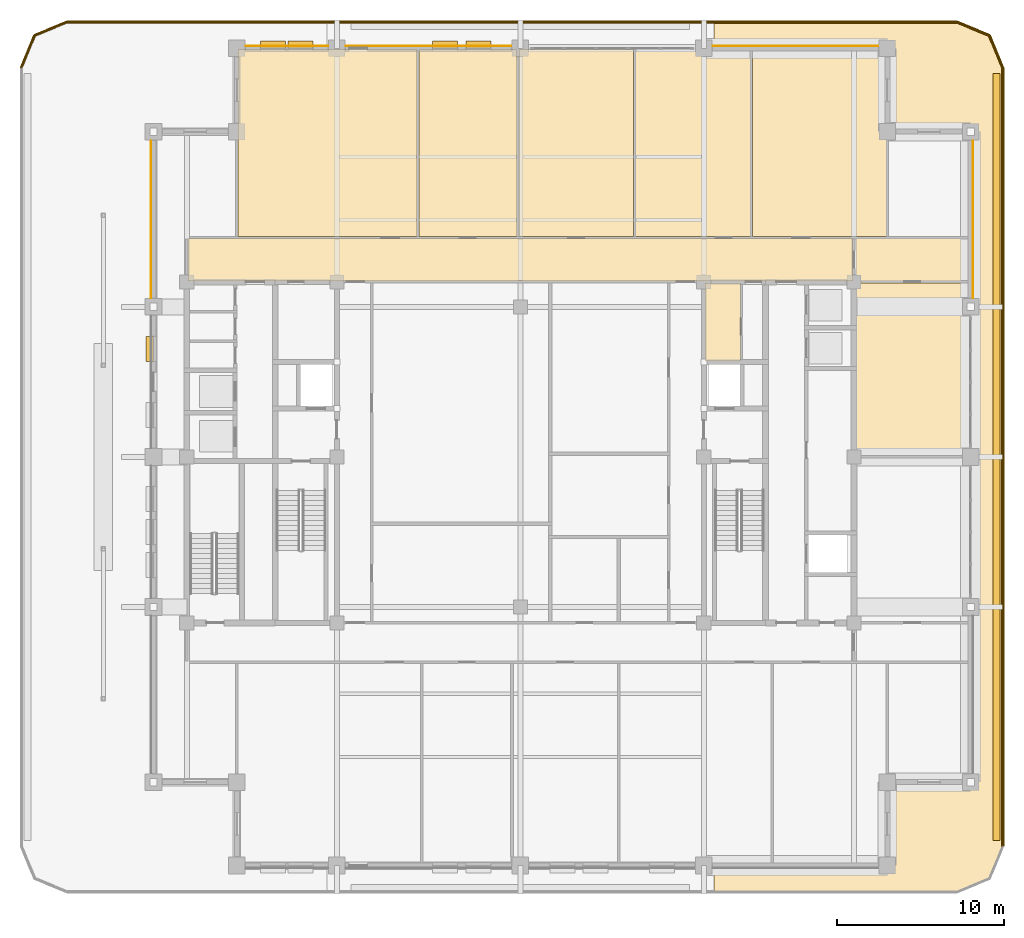
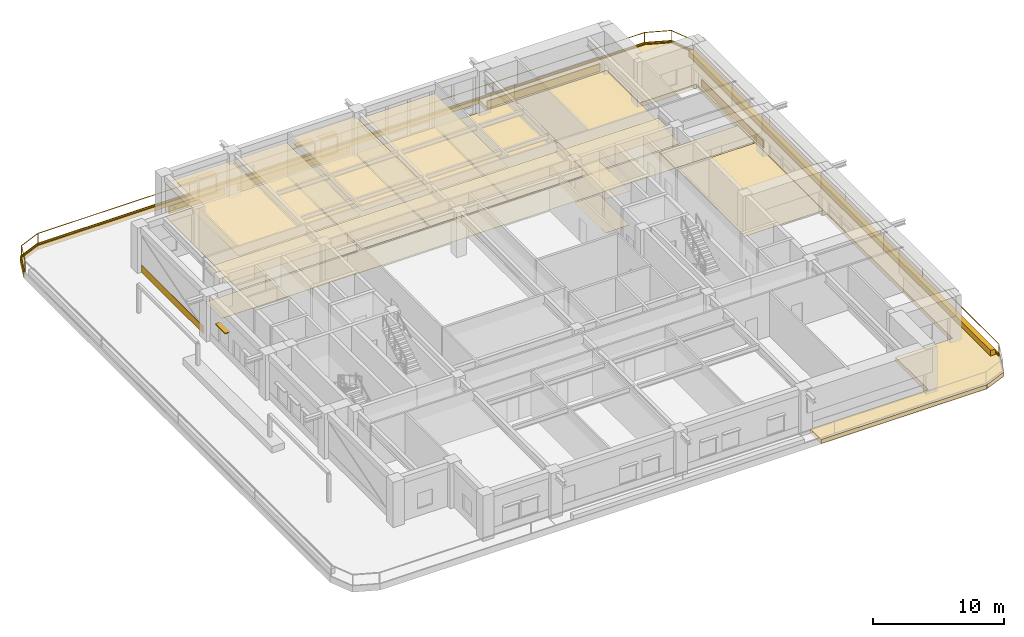
# One storey, part 19 of 20: 27 coverings, 5 shading devices, 2 railings.
"""IFC4 building model written with IfcOpenShell, lengths in metres."""

from ifc_helpers import new_model, si_unit, direction, frame, frame_2d, origin, origin_2d, place, context, subcontext, project, spatial, polyline, rectangle, outline, extrude, material, layer, layer_set, type_object, element, save


model = new_model("IFC4")

# Units and contexts
model_context = context("Model", 3, precision=1e-05, world=origin(), true_north=direction((0.0, 1.0)))
body_context = subcontext(model_context, "Body", "Model", "MODEL_VIEW")
ifc_project = project(units=[si_unit("LENGTHUNIT", "METRE"), si_unit("AREAUNIT", "SQUARE_METRE"), si_unit("VOLUMEUNIT", "CUBIC_METRE"), si_unit("PLANEANGLEUNIT", "RADIAN"), si_unit("MASSUNIT", "GRAM", prefix="KILO")], contexts=[model_context])

# Site, building, storey
site_placement = place(None, origin())
site = spatial("IfcSite", under=ifc_project, at=site_placement, CompositionType="ELEMENT")
building_placement = place(site_placement, origin())
building = spatial("IfcBuilding", under=site, at=building_placement, Name="Zulmaris Gate Convention Tower", CompositionType="ELEMENT")
storey_placement = place(building_placement, frame((0.0, 0.0, 158.23974609375)))
storey = spatial("IfcBuildingStorey", under=building, at=storey_placement, Name="L40", CompositionType="ELEMENT", Elevation=158.23974609375)

# Coverings
ifc_material_1 = material(Name="Precast concrete C40/50", Category="concrete")
ifc_layer_1 = layer(ifc_material_1, 0.0400390625, Name="Precast concrete C40/50")
ifc_layer_set_1 = layer_set([ifc_layer_1], Name="Precast concrete C40/50")
covering_type_1 = type_object("IfcCoveringType", Name="CLAD-SPANDREL-PRECAST", PredefinedType="CLADDING", material=ifc_layer_set_1)
covering_1_placement = place(storey_placement, frame((-11.530029296875, 24.64990234375, 0.0), z_axis=(0.0, 0.0, 1.0), x_axis=(-1.0, 0.0, 0.0)))
element("IfcCovering", 1, at=covering_1_placement, inside=storey, type_object=covering_type_1, Name="CLD-L40-N-0_0", PredefinedType="CLADDING", context=body_context, shape_type="SweptSolid", body=[
    extrude(rectangle(XDim=4.93994140625, YDim=0.0400390625, at=frame_2d((2.469970703125, 0.0))), origin(), (0.0, 0.0, 1.0), 0.679931640625),
])
for number, where, z_axis, x_axis, name in (
    (2, (-0.530029296875, 24.64990234375, 0.0), (0.0, 0.0, 1.0), (-1.0, 0.0, 0.0), "CLD-L40-N-1_0"),
    (3, (21.469970703125, 24.64990234375, 0.0), (0.0, 0.0, 1.0), (-1.0, 0.0, 0.0), "CLD-L40-N-3_0"),
):
    element("IfcCovering", number, at=place(storey_placement, frame(where, z_axis=z_axis, x_axis=x_axis)), inside=storey, type_object=covering_type_1, Name=name, PredefinedType="CLADDING", context=body_context, shape_type="SweptSolid", body=[
        extrude(rectangle(XDim=9.93994140625, YDim=0.0400390625, at=frame_2d((4.969970703125, 0.0))), origin(), (0.0, 0.0, 1.0), 0.679931640625),
    ])
for number, where, z_axis, x_axis, name in (
    (4, (27.14990234375, 9.530029296875, 0.0), (0.0, 0.0, 1.0), (0.0, 1.0, 0.0), "CLD-L40-E-3_0"),
    (5, (-22.14990234375, 18.969970703125, 0.0), (0.0, 0.0, 1.0), (0.0, -1.0, 0.0), "CLD-L40-W-3_0"),
):
    element("IfcCovering", number, at=place(storey_placement, frame(where, z_axis=z_axis, x_axis=x_axis)), inside=storey, type_object=covering_type_1, Name=name, PredefinedType="CLADDING", context=body_context, shape_type="SweptSolid", body=[
        extrude(rectangle(XDim=9.43994140625, YDim=0.0400390625, at=frame_2d((4.719970703125, 0.0))), origin(), (0.0, 0.0, 1.0), 0.679931640625),
    ])
ifc_material_2 = material(Name="White Glazed Architectural Precast Concrete C40/50", Category="concrete")
ifc_layer_2 = layer(ifc_material_2, 0.239990234375, Name="White Glazed Architectural Precast Concrete C40/50")
ifc_layer_set_2 = layer_set([ifc_layer_2], Name="White Glazed Architectural Precast Concrete C40/50")
covering_type_2 = type_object("IfcCoveringType", Name="CLAD-TRAY-DECK", PredefinedType="CLADDING", material=ifc_layer_set_2)
covering_2_placement = place(storey_placement, frame((0.0, 0.0, -0.425048828125)))
element("IfcCovering", 6, at=covering_2_placement, inside=storey, type_object=covering_type_2, Name="L40 East Rounded-Fascia Planter Tray Deck", PredefinedType="CLADDING", context=body_context, shape_type="SweptSolid", body=[
    extrude(outline(polyline([(26.199951171875, 26.14990234375), (28.179931640625, 25.329833984375), (29.0, 23.35009765625), (29.0, -23.35009765625), (28.179931640625, -25.329833984375), (26.199951171875, -26.14990234375), (11.60205078125, -26.14990234375), (11.60205078125, -24.5), (22.0, -24.5), (22.0, -19.5), (27.0, -19.5), (27.0, 19.5), (22.0, 19.5), (22.0, 24.5), (11.60205078125, 24.5), (11.60205078125, 26.14990234375), (26.199951171875, 26.14990234375)])), origin(), (0.0, 0.0, 1.0), 0.385009765625),
])
ifc_layer_3 = layer(ifc_material_2, 0.080078125, Name="White Glazed Architectural Precast Concrete C40/50")
ifc_layer_set_3 = layer_set([ifc_layer_3], Name="White Glazed Architectural Precast Concrete C40/50")
covering_type_3 = type_object("IfcCoveringType", Name="CLAD-TRAY-FASCIA", PredefinedType="CLADDING", material=ifc_layer_set_3)
covering_3_placement = place(storey_placement, frame((28.9599609375, -23.35009765625, -0.465087890625), z_axis=(0.0, 0.0, 1.0), x_axis=(0.0, 1.0, 0.0)))
element("IfcCovering", 7, at=covering_3_placement, inside=storey, type_object=covering_type_3, Name="FSC-L40-TR-05", PredefinedType="CLADDING", context=body_context, shape_type="SweptSolid", body=[
    extrude(rectangle(XDim=46.7001953125, YDim=0.080078125, at=frame_2d((23.35009765625, 0.0))), origin(), (0.0, 0.0, 1.0), 0.5849609375),
])
covering_4_placement = place(storey_placement, frame((28.962890625, 23.334716796875, -0.465087890625), z_axis=(0.0, 0.0, 1.0), x_axis=(-0.382656984709, 0.923890487046, 0.0)))
element("IfcCovering", 8, at=covering_4_placement, inside=storey, type_object=covering_type_3, Name="FSC-L40-TR-06", PredefinedType="CLADDING", context=body_context, shape_type="SweptSolid", body=[
    extrude(rectangle(XDim=2.14306640625, YDim=0.080078125, at=frame_2d((1.071533203125, 0.0))), origin(), (0.0, 0.0, 1.0), 0.5849609375),
])
covering_5_placement = place(storey_placement, frame((28.16455078125, 25.29296875, -0.465087890625), z_axis=(0.0, 0.0, 1.0), x_axis=(-0.923873803533, 0.382697263049, 0.0)))
element("IfcCovering", 9, at=covering_5_placement, inside=storey, type_object=covering_type_3, Name="FSC-L40-TR-07", PredefinedType="CLADDING", context=body_context, shape_type="SweptSolid", body=[
    extrude(rectangle(XDim=2.142822265625, YDim=0.080078125, at=frame_2d((1.0712890625, 0.0))), origin(), (0.0, 0.0, 1.0), 0.5849609375),
])
covering_6_placement = place(storey_placement, frame((26.199951171875, 26.110107421875, -0.465087890625), z_axis=(0.0, 0.0, 1.0), x_axis=(-1.0, 0.0, 0.0)))
element("IfcCovering", 10, at=covering_6_placement, inside=storey, type_object=covering_type_3, Name="FSC-L40-TR-08", PredefinedType="CLADDING", context=body_context, shape_type="SweptSolid", body=[
    extrude(rectangle(XDim=53.39990234375, YDim=0.080078125, at=frame_2d((26.699951171875, 0.0))), origin(), (0.0, 0.0, 1.0), 0.5849609375),
])
covering_7_placement = place(storey_placement, frame((-27.184814453125, 26.113037109375, -0.465087890625), z_axis=(0.0, 0.0, 1.0), x_axis=(-0.923873803533, -0.382697263049, 0.0)))
element("IfcCovering", 11, at=covering_7_placement, inside=storey, type_object=covering_type_3, Name="FSC-L40-TR-09", PredefinedType="CLADDING", context=body_context, shape_type="SweptSolid", body=[
    extrude(rectangle(XDim=2.142822265625, YDim=0.080078125, at=frame_2d((1.0712890625, 0.0))), origin(), (0.0, 0.0, 1.0), 0.5849609375),
])
covering_8_placement = place(storey_placement, frame((-29.142822265625, 25.314697265625, -0.465087890625), z_axis=(0.0, 0.0, 1.0), x_axis=(-0.382656984709, -0.923890487046, 0.0)))
element("IfcCovering", 12, at=covering_8_placement, inside=storey, type_object=covering_type_3, Name="FSC-L40-TR-10", PredefinedType="CLADDING", context=body_context, shape_type="SweptSolid", body=[
    extrude(rectangle(XDim=2.14306640625, YDim=0.080078125, at=frame_2d((1.071533203125, 0.0))), origin(), (0.0, 0.0, 1.0), 0.5849609375),
])
ifc_material_3 = material(Name="Mineral Fibre Acoustic Ceiling Tile")
ifc_layer_4 = layer(ifc_material_3, 0.02001953125, Name="Mineral Fibre Acoustic Ceiling Tile")
ifc_layer_set_4 = layer_set([ifc_layer_4], Name="Mineral Fibre Acoustic Ceiling Tile")
covering_type_4 = type_object("IfcCoveringType", Name="CLG-ACOUSTIC-600", PredefinedType="CEILING", material=ifc_layer_set_4)
covering_9_placement = place(storey_placement, frame((0.0, 0.0, 3.153076171875)))
element("IfcCovering", 13, at=covering_9_placement, inside=storey, type_object=covering_type_4, Name="CLG-L40-R12", PredefinedType="CEILING", context=body_context, shape_type="SweptSolid", body=[
    extrude(outline(polyline([(11.06005859375, 5.760009765625), (13.18994140625, 5.760009765625), (13.18994140625, 10.43994140625), (11.06005859375, 10.43994140625), (11.06005859375, 5.760009765625)])), origin(), (0.0, 0.0, 1.0), 0.02001953125),
])
covering_10_placement = place(storey_placement, frame((0.0, 0.0, 3.153076171875)))
element("IfcCovering", 14, at=covering_10_placement, inside=storey, type_object=covering_type_4, Name="CLG-L40-R31", PredefinedType="CEILING", context=body_context, shape_type="SweptSolid", body=[
    extrude(outline(polyline([(-19.93994140625, 10.56005859375), (19.93994140625, 10.56005859375), (19.93994140625, 13.090087890625), (-19.93994140625, 13.090087890625), (-19.93994140625, 10.56005859375)])), origin(), (0.0, 0.0, 1.0), 0.02001953125),
])
covering_11_placement = place(storey_placement, frame((0.0, 0.0, 3.153076171875)))
element("IfcCovering", 15, at=covering_11_placement, inside=storey, type_object=covering_type_4, Name="CLG-L40-R35", PredefinedType="CEILING", context=body_context, shape_type="SweptSolid", body=[
    extrude(outline(polyline([(-16.93994140625, 13.2099609375), (-6.2099609375, 13.2099609375), (-6.2099609375, 24.43994140625), (-16.93994140625, 24.43994140625), (-16.93994140625, 13.2099609375)])), origin(), (0.0, 0.0, 1.0), 0.02001953125),
])
covering_12_placement = place(storey_placement, frame((0.0, 0.0, 3.5302734375)))
element("IfcCovering", 16, at=covering_12_placement, inside=storey, type_object=covering_type_4, Name="CLG-L40-R36", PredefinedType="CEILING", context=body_context, shape_type="SweptSolid", body=[
    extrude(outline(polyline([(-6.090087890625, 13.2099609375), (-0.2099609375, 13.2099609375), (-0.2099609375, 24.43994140625), (-6.090087890625, 24.43994140625), (-6.090087890625, 13.2099609375)])), origin(), (0.0, 0.0, 1.0), 0.019775390625),
])
covering_13_placement = place(storey_placement, frame((0.0, 0.0, 3.153076171875)))
element("IfcCovering", 17, at=covering_13_placement, inside=storey, type_object=covering_type_4, Name="CLG-L40-R37", PredefinedType="CEILING", context=body_context, shape_type="SweptSolid", body=[
    extrude(outline(polyline([(-0.090087890625, 13.2099609375), (6.7900390625, 13.2099609375), (6.7900390625, 24.43994140625), (-0.090087890625, 24.43994140625), (-0.090087890625, 13.2099609375)])), origin(), (0.0, 0.0, 1.0), 0.02001953125),
])
ifc_material_4 = material(Name="Woven Acoustic Wool Carpet Tile")
ifc_layer_5 = layer(ifc_material_4, 0.02001953125, Name="Woven Acoustic Wool Carpet Tile")
ifc_layer_set_5 = layer_set([ifc_layer_5], Name="Woven Acoustic Wool Carpet Tile")
covering_type_5 = type_object("IfcCoveringType", Name="FLR-CARPET-12", PredefinedType="FLOORING", material=ifc_layer_set_5)
covering_14_placement = place(storey_placement, origin())
element("IfcCovering", 18, at=covering_14_placement, inside=storey, type_object=covering_type_5, Name="FLR-L40-R12", PredefinedType="FLOORING", context=body_context, shape_type="SweptSolid", body=[
    extrude(outline(polyline([(11.06005859375, 5.760009765625), (13.18994140625, 5.760009765625), (13.18994140625, 10.43994140625), (11.06005859375, 10.43994140625), (11.06005859375, 5.760009765625)])), origin(), (0.0, 0.0, 1.0), 0.02001953125),
])
covering_15_placement = place(storey_placement, origin())
element("IfcCovering", 19, at=covering_15_placement, inside=storey, type_object=covering_type_5, Name="FLR-L40-R31", PredefinedType="FLOORING", context=body_context, shape_type="SweptSolid", body=[
    extrude(outline(polyline([(-19.93994140625, 10.56005859375), (19.93994140625, 10.56005859375), (19.93994140625, 13.090087890625), (-19.93994140625, 13.090087890625), (-19.93994140625, 10.56005859375)])), origin(), (0.0, 0.0, 1.0), 0.02001953125),
])
covering_16_placement = place(storey_placement, origin())
element("IfcCovering", 20, at=covering_16_placement, inside=storey, type_object=covering_type_5, Name="FLR-L40-R36", PredefinedType="FLOORING", context=body_context, shape_type="SweptSolid", body=[
    extrude(outline(polyline([(-6.090087890625, 13.2099609375), (-0.2099609375, 13.2099609375), (-0.2099609375, 24.43994140625), (-6.090087890625, 24.43994140625), (-6.090087890625, 13.2099609375)])), origin(), (0.0, 0.0, 1.0), 0.02001953125),
])
covering_17_placement = place(storey_placement, origin())
element("IfcCovering", 21, at=covering_17_placement, inside=storey, type_object=covering_type_5, Name="FLR-L40-R38", PredefinedType="FLOORING", context=body_context, shape_type="SweptSolid", body=[
    extrude(outline(polyline([(6.909912109375, 13.2099609375), (13.7900390625, 13.2099609375), (13.7900390625, 24.43994140625), (6.909912109375, 24.43994140625), (6.909912109375, 13.2099609375)])), origin(), (0.0, 0.0, 1.0), 0.02001953125),
])
covering_18_placement = place(storey_placement, origin())
element("IfcCovering", 22, at=covering_18_placement, inside=storey, type_object=covering_type_5, Name="FLR-L40-R51", PredefinedType="FLOORING", context=body_context, shape_type="SweptSolid", body=[
    extrude(outline(polyline([(20.06005859375, 10.56005859375), (26.93994140625, 10.56005859375), (26.93994140625, 13.090087890625), (20.06005859375, 13.090087890625), (20.06005859375, 10.56005859375)])), origin(), (0.0, 0.0, 1.0), 0.02001953125),
])
covering_19_placement = place(storey_placement, origin())
element("IfcCovering", 23, at=covering_19_placement, inside=storey, type_object=covering_type_5, Name="FLR-L40-R53", PredefinedType="FLOORING", context=body_context, shape_type="SweptSolid", body=[
    extrude(outline(polyline([(20.06005859375, 0.06005859375), (26.93994140625, 0.06005859375), (26.93994140625, 10.43994140625), (20.06005859375, 10.43994140625), (20.06005859375, 0.06005859375)])), origin(), (0.0, 0.0, 1.0), 0.02001953125),
])
ifc_material_5 = material(Name="Polished Granite Terrazzo Tile", Category="masonry")
ifc_layer_6 = layer(ifc_material_5, 0.02001953125, Name="Polished Granite Terrazzo Tile")
ifc_layer_set_6 = layer_set([ifc_layer_6], Name="Polished Granite Terrazzo Tile")
covering_type_6 = type_object("IfcCoveringType", Name="FLR-TERRAZZO-30", PredefinedType="FLOORING", material=ifc_layer_set_6)
covering_20_placement = place(storey_placement, origin())
element("IfcCovering", 24, at=covering_20_placement, inside=storey, type_object=covering_type_6, Name="FLR-L40-R35", PredefinedType="FLOORING", context=body_context, shape_type="SweptSolid", body=[
    extrude(outline(polyline([(-16.93994140625, 13.2099609375), (-6.2099609375, 13.2099609375), (-6.2099609375, 24.43994140625), (-16.93994140625, 24.43994140625), (-16.93994140625, 13.2099609375)])), origin(), (0.0, 0.0, 1.0), 0.02001953125),
])
covering_21_placement = place(storey_placement, origin())
element("IfcCovering", 25, at=covering_21_placement, inside=storey, type_object=covering_type_6, Name="FLR-L40-R39", PredefinedType="FLOORING", context=body_context, shape_type="SweptSolid", body=[
    extrude(outline(polyline([(13.909912109375, 13.2099609375), (21.93994140625, 13.2099609375), (21.93994140625, 24.43994140625), (13.909912109375, 24.43994140625), (13.909912109375, 13.2099609375)])), origin(), (0.0, 0.0, 1.0), 0.02001953125),
])
ifc_material_6 = material(Name="Engineered Teak Parquet Flooring")
ifc_layer_7 = layer(ifc_material_6, 0.02001953125, Name="Engineered Teak Parquet Flooring")
ifc_layer_set_7 = layer_set([ifc_layer_7], Name="Engineered Teak Parquet Flooring")
covering_type_7 = type_object("IfcCoveringType", Name="FLR-TIMBER-18", PredefinedType="FLOORING", material=ifc_layer_set_7)
covering_22_placement = place(storey_placement, origin())
element("IfcCovering", 26, at=covering_22_placement, inside=storey, type_object=covering_type_7, Name="FLR-L40-R37", PredefinedType="FLOORING", context=body_context, shape_type="SweptSolid", body=[
    extrude(outline(polyline([(-0.090087890625, 13.2099609375), (6.7900390625, 13.2099609375), (6.7900390625, 24.43994140625), (-0.090087890625, 24.43994140625), (-0.090087890625, 13.2099609375)])), origin(), (0.0, 0.0, 1.0), 0.02001953125),
])
ifc_material_7 = material(Name="Botanical Green Glazed Precast Concrete C40/50", Category="concrete")
ifc_layer_8 = layer(ifc_material_7, 0.419921875, Name="Botanical Green Glazed Precast Concrete C40/50")
ifc_layer_set_8 = layer_set([ifc_layer_8], Name="Botanical Green Glazed Precast Concrete C40/50")
covering_type_8 = type_object("IfcCoveringType", Name="PLANTER-BOX-200", PredefinedType="CLADDING", material=ifc_layer_set_8)
covering_23_placement = place(storey_placement, frame((0.0, 0.0, -0.0400390625)))
element("IfcCovering", 27, at=covering_23_placement, inside=storey, type_object=covering_type_8, Name="L40 E Full-Length Balcony Tree Planter Trough", PredefinedType="CLADDING", context=body_context, shape_type="SweptSolid", body=[
    extrude(outline(polyline([(28.340087890625, -23.0), (28.760009765625, -23.0), (28.760009765625, 23.0), (28.340087890625, 23.0), (28.340087890625, -23.0)])), origin(), (0.0, 0.0, 1.0), 0.52001953125),
])

# Railings
ifc_material_8 = material(Name="Laminated Glass and Stainless Steel", Category="steel")
railing_type = type_object("IfcRailingType", Name="RL-BALC-1150", PredefinedType="BALUSTRADE", material=ifc_material_8)
railing_1_placement = place(storey_placement, frame((28.8798828125, -23.35009765625, -0.0400390625)))
element("IfcRailing", 28, at=railing_1_placement, inside=storey, type_object=railing_type, Name="RL-L40-BALC-E", PredefinedType="BALUSTRADE", context=body_context, shape_type="SweptSolid", body=[
    extrude(rectangle(XDim=0.048095703125, YDim=0.048095703125, at=origin_2d()), frame((0.0, 0.0, 1.1259765625), z_axis=(0.0, 1.0, 0.0), x_axis=(-1.0, 0.0, 0.0)), (0.0, 0.0, 1.0), 46.7001953125),
    extrude(rectangle(XDim=0.048095703125, YDim=0.048095703125, at=origin_2d()), frame((0.0, 0.0, 0.02392578125), z_axis=(0.0, 1.0, 0.0), x_axis=(-1.0, 0.0, 0.0)), (0.0, 0.0, 1.0), 46.7001953125),
    extrude(rectangle(XDim=0.0419921875, YDim=0.0419921875, at=origin_2d()), origin(), (0.0, 0.0, 1.0), 1.101806640625),
    extrude(rectangle(XDim=0.0419921875, YDim=0.0419921875, at=origin_2d()), frame((0.0, 11.675048828125, 0.0)), (0.0, 0.0, 1.0), 1.101806640625),
    extrude(rectangle(XDim=0.0419921875, YDim=0.0419921875, at=origin_2d()), frame((0.0, 23.35009765625, 0.0)), (0.0, 0.0, 1.0), 1.101806640625),
    extrude(rectangle(XDim=0.0419921875, YDim=0.0419921875, at=origin_2d()), frame((0.0, 35.025146484375, 0.0)), (0.0, 0.0, 1.0), 1.101806640625),
    extrude(rectangle(XDim=0.0419921875, YDim=0.0419921875, at=origin_2d()), frame((0.0, 46.7001953125, 0.0)), (0.0, 0.0, 1.0), 1.101806640625),
])
railing_2_placement = place(storey_placement, frame((28.8798828125, 23.35009765625, -0.0400390625)))
element("IfcRailing", 29, at=railing_2_placement, inside=storey, type_object=railing_type, Name="RL-L40-BALC-N", PredefinedType="BALUSTRADE", context=body_context, shape_type="SweptSolid", body=[
    extrude(rectangle(XDim=0.048095703125, YDim=0.048095703125, at=origin_2d()), frame((0.0, 0.0, 1.1259765625), z_axis=(-0.382670664694, 0.92388482095, 0.0), x_axis=(-0.92388482095, -0.382670664694, 0.0)), (0.0, 0.0, 1.0), 2.051025390625),
    extrude(rectangle(XDim=0.048095703125, YDim=0.048095703125, at=origin_2d()), frame((0.0, 0.0, 0.02392578125), z_axis=(-0.382670664694, 0.92388482095, 0.0), x_axis=(-0.92388482095, -0.382670664694, 0.0)), (0.0, 0.0, 1.0), 2.051025390625),
    extrude(rectangle(XDim=0.048095703125, YDim=0.048095703125, at=origin_2d()), frame((-0.784912109375, 1.89501953125, 1.1259765625), z_axis=(-0.92388482095, 0.382670664694, 0.0), x_axis=(-0.382670664694, -0.92388482095, 0.0)), (0.0, 0.0, 1.0), 2.051025390625),
    extrude(rectangle(XDim=0.048095703125, YDim=0.048095703125, at=origin_2d()), frame((-0.784912109375, 1.89501953125, 0.02392578125), z_axis=(-0.92388482095, 0.382670664694, 0.0), x_axis=(-0.382670664694, -0.92388482095, 0.0)), (0.0, 0.0, 1.0), 2.051025390625),
    extrude(rectangle(XDim=0.048095703125, YDim=0.048095703125, at=origin_2d()), frame((-2.679931640625, 2.679931640625, 1.1259765625), z_axis=(-1.0, 0.0, 0.0), x_axis=(0.0, -1.0, 0.0)), (0.0, 0.0, 1.0), 53.39990234375),
    extrude(rectangle(XDim=0.048095703125, YDim=0.048095703125, at=origin_2d()), frame((-2.679931640625, 2.679931640625, 0.02392578125), z_axis=(-1.0, 0.0, 0.0), x_axis=(0.0, -1.0, 0.0)), (0.0, 0.0, 1.0), 53.39990234375),
    extrude(rectangle(XDim=0.048095703125, YDim=0.048095703125, at=origin_2d()), frame((-56.079833984375, 2.679931640625, 1.1259765625), z_axis=(-0.92388482095, -0.382670664694, 0.0), x_axis=(0.382670664694, -0.92388482095, 0.0)), (0.0, 0.0, 1.0), 2.051025390625),
    extrude(rectangle(XDim=0.048095703125, YDim=0.048095703125, at=origin_2d()), frame((-56.079833984375, 2.679931640625, 0.02392578125), z_axis=(-0.92388482095, -0.382670664694, 0.0), x_axis=(0.382670664694, -0.92388482095, 0.0)), (0.0, 0.0, 1.0), 2.051025390625),
    extrude(rectangle(XDim=0.048095703125, YDim=0.048095703125, at=origin_2d()), frame((-57.974853515625, 1.89501953125, 1.1259765625), z_axis=(-0.382670664694, -0.92388482095, 0.0), x_axis=(0.92388482095, -0.382670664694, 0.0)), (0.0, 0.0, 1.0), 2.051025390625),
    extrude(rectangle(XDim=0.048095703125, YDim=0.048095703125, at=origin_2d()), frame((-57.974853515625, 1.89501953125, 0.02392578125), z_axis=(-0.382670664694, -0.92388482095, 0.0), x_axis=(0.92388482095, -0.382670664694, 0.0)), (0.0, 0.0, 1.0), 2.051025390625),
    extrude(rectangle(XDim=0.0419921875, YDim=0.0419921875, at=origin_2d()), origin(), (0.0, 0.0, 1.0), 1.101806640625),
    extrude(rectangle(XDim=0.0419921875, YDim=0.0419921875, at=origin_2d()), frame((-0.784912109375, 1.89501953125, 0.0)), (0.0, 0.0, 1.0), 1.101806640625),
    extrude(rectangle(XDim=0.0419921875, YDim=0.0419921875, at=origin_2d()), frame((-2.679931640625, 2.679931640625, 0.0)), (0.0, 0.0, 1.0), 1.101806640625),
    extrude(rectangle(XDim=0.0419921875, YDim=0.0419921875, at=origin_2d()), frame((-16.02978515625, 2.679931640625, 0.0)), (0.0, 0.0, 1.0), 1.101806640625),
    extrude(rectangle(XDim=0.0419921875, YDim=0.0419921875, at=origin_2d()), frame((-29.3798828125, 2.679931640625, 0.0)), (0.0, 0.0, 1.0), 1.101806640625),
    extrude(rectangle(XDim=0.0419921875, YDim=0.0419921875, at=origin_2d()), frame((-42.72998046875, 2.679931640625, 0.0)), (0.0, 0.0, 1.0), 1.101806640625),
    extrude(rectangle(XDim=0.0419921875, YDim=0.0419921875, at=origin_2d()), frame((-56.079833984375, 2.679931640625, 0.0)), (0.0, 0.0, 1.0), 1.101806640625),
    extrude(rectangle(XDim=0.0419921875, YDim=0.0419921875, at=origin_2d()), frame((-57.974853515625, 1.89501953125, 0.0)), (0.0, 0.0, 1.0), 1.101806640625),
    extrude(rectangle(XDim=0.0419921875, YDim=0.0419921875, at=origin_2d()), frame((-58.759765625, 0.0, 0.0)), (0.0, 0.0, 1.0), 1.101806640625),
])

# Shading devices
ifc_material_9 = material(Name="Glazed Ceramic Terracotta", Category="masonry")
ifc_layer_9 = layer(ifc_material_9, 0.070068359375, Name="Glazed Ceramic Terracotta")
ifc_layer_set_9 = layer_set([ifc_layer_9], Name="Glazed Ceramic Terracotta")
shading_device_type = type_object("IfcShadingDeviceType", Name="SHD-SUNSHADE-TC", PredefinedType="AWNING", material=ifc_layer_set_9)
for number, where, z_axis, x_axis, name in (
    (30, (-12.427001953125, 24.719970703125, 2.349853515625), (0.0, 0.0, 1.0), (-1.0, 0.0, 0.0), "SHD-EW-L40-N-0_0-1"),
    (31, (-14.072998046875, 24.719970703125, 2.349853515625), (0.0, 0.0, 1.0), (-1.0, 0.0, 0.0), "SHD-EW-L40-N-0_0-2"),
    (32, (-1.76806640625, 24.719970703125, 2.349853515625), (0.0, 0.0, 1.0), (-1.0, 0.0, 0.0), "SHD-EW-L40-N-1_0-1"),
    (33, (-3.756103515625, 24.719970703125, 2.349853515625), (0.0, 0.0, 1.0), (-1.0, 0.0, 0.0), "SHD-EW-L40-N-1_0-2"),
    (34, (-22.219970703125, 7.235107421875, 2.349853515625), (0.0, 0.0, 1.0), (0.0, -1.0, 0.0), "SHD-EW-L40-W-2_0-1"),
):
    element("IfcShadingDevice", number, at=place(storey_placement, frame(where, z_axis=z_axis, x_axis=x_axis)), inside=storey, type_object=shading_device_type, Name=name, PredefinedType="AWNING", context=body_context, shape_type="SweptSolid", body=[
        extrude(rectangle(XDim=1.5, YDim=0.43994140625, at=frame_2d((0.75, 0.0))), origin(), (0.0, 0.0, 1.0), 0.070068359375),
    ])

save(model, "model.ifc")
